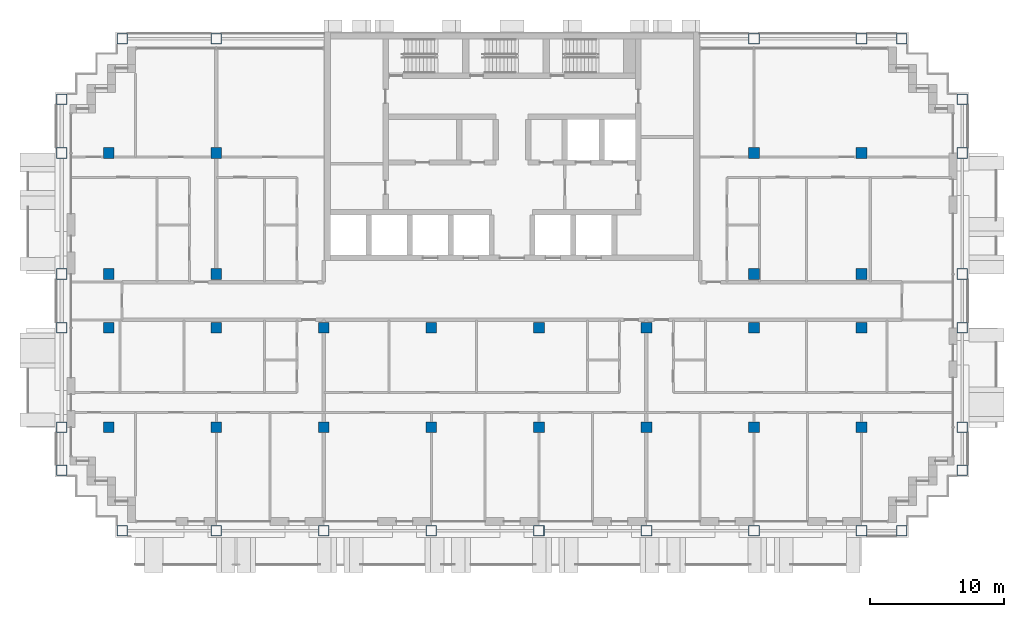
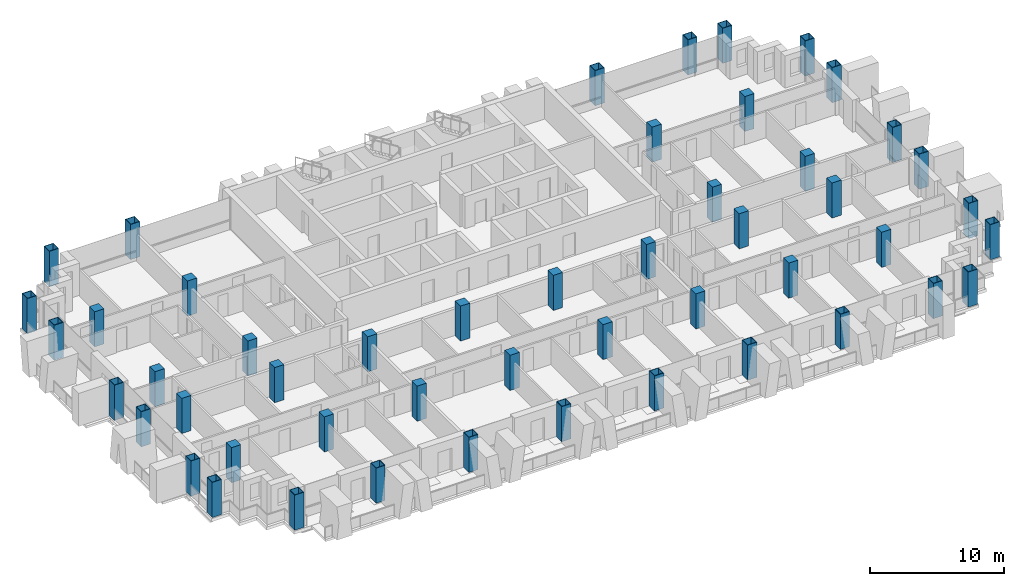
# One storey, part 1 of 18: 50 columns.
"""IFC4 building model written with IfcOpenShell, lengths in metres."""

from ifc_helpers import new_model, si_unit, direction, frame, origin, origin_2d, place, context, subcontext, project, spatial, rectangle, hollow_rectangle, extrude, material, material_profile, profile_set, type_object, element, save


model = new_model("IFC4")

# Units and contexts
model_context = context("Model", 3, precision=1e-05, world=origin(), true_north=direction((0.0, 1.0)))
body_context = subcontext(model_context, "Body", "Model", "MODEL_VIEW")
ifc_project = project(units=[si_unit("LENGTHUNIT", "METRE"), si_unit("AREAUNIT", "SQUARE_METRE"), si_unit("VOLUMEUNIT", "CUBIC_METRE"), si_unit("PLANEANGLEUNIT", "RADIAN"), si_unit("MASSUNIT", "GRAM", prefix="KILO")], contexts=[model_context])

# Site, building, storey
site_placement = place(None, origin())
site = spatial("IfcSite", under=ifc_project, at=site_placement, CompositionType="ELEMENT")
building_placement = place(site_placement, origin())
building = spatial("IfcBuilding", under=site, at=building_placement, Name="Vidyagriha Tower", CompositionType="ELEMENT")
storey_placement = place(building_placement, frame((0.0, 0.0, 142.199951171875)))
storey = spatial("IfcBuildingStorey", under=building, at=storey_placement, Name="L37", CompositionType="ELEMENT", Elevation=142.199951171875)

# Columns
ifc_material_1 = material(Name="Steel ASTM A572 Grade 50", Category="steel")
ifc_material_profile_1 = material_profile(ifc_material_1, hollow_rectangle(XDim=0.800048828125, YDim=0.800048828125, WallThickness=0.0400390625, at=origin_2d()), Name="BOX 800x800x40")
ifc_profile_set_1 = profile_set([ifc_material_profile_1], Name="Steel ASTM A572 Grade 50")
column_type_1 = type_object("IfcColumnType", Name="Exoskeleton column BOX 800x800x40", PredefinedType="COLUMN", material=ifc_profile_set_1)
for number, where, name in (
    (1, (-29.0, -17.10009765625, 0.0), "st-col-L37-B3-001"),
    (2, (-22.0, -17.10009765625, 0.0), "st-col-L37-B3-002"),
    (3, (-14.0, -17.10009765625, 0.0), "st-col-L37-B3-003"),
    (4, (-6.0, -17.10009765625, 0.0), "st-col-L37-B3-004"),
    (5, (2.0, -17.10009765625, 0.0), "st-col-L37-B3-005"),
    (6, (10.0, -17.10009765625, 0.0), "st-col-L37-B3-006"),
    (7, (18.0, -17.10009765625, 0.0), "st-col-L37-B3-007"),
    (8, (26.0, -17.10009765625, 0.0), "st-col-L37-B3-008"),
    (9, (29.0, -17.10009765625, 0.0), "st-col-L37-B3-009"),
    (10, (-33.5, -12.60009765625, 0.0), "st-col-L37-B3-010"),
    (11, (33.5, -12.60009765625, 0.0), "st-col-L37-B3-011"),
    (12, (-33.5, -9.39990234375, 0.0), "st-col-L37-B3-012"),
    (13, (33.5, -9.39990234375, 0.0), "st-col-L37-B3-021"),
    (14, (-33.5, -2.0, 0.0), "st-col-L37-B3-022"),
    (15, (33.5, -2.0, 0.0), "st-col-L37-B3-031"),
    (16, (-33.5, 2.0, 0.0), "st-col-L37-B3-032"),
    (17, (33.5, 2.0, 0.0), "st-col-L37-B3-037"),
    (18, (-33.5, 11.0, 0.0), "st-col-L37-B3-038"),
    (19, (33.5, 11.0, 0.0), "st-col-L37-B3-043"),
    (20, (-33.5, 15.0, 0.0), "st-col-L37-B3-044"),
    (21, (33.5, 15.0, 0.0), "st-col-L37-B3-045"),
    (22, (-29.0, 19.5, 0.0), "st-col-L37-B3-046"),
    (23, (-22.0, 19.5, 0.0), "st-col-L37-B3-047"),
    (24, (18.0, 19.5, 0.0), "st-col-L37-B3-048"),
    (25, (26.0, 19.5, 0.0), "st-col-L37-B3-049"),
    (26, (29.0, 19.5, 0.0), "st-col-L37-B3-050"),
):
    element("IfcColumn", number, at=place(storey_placement, frame(where)), inside=storey, type_object=column_type_1, Name=name, PredefinedType="COLUMN", context=body_context, shape_type="SweptSolid", body=[
        extrude(hollow_rectangle(XDim=0.800048828125, YDim=0.800048828125, WallThickness=0.0400390625, at=origin_2d()), origin(), (0.0, 0.0, 1.0), 3.199951171875),
    ])
ifc_material_2 = material(Name="Concrete C80/95", Category="concrete")
ifc_material_profile_2 = material_profile(ifc_material_2, rectangle(XDim=0.800048828125, YDim=0.800048828125, at=origin_2d()), Name="RC 800x800")
ifc_profile_set_2 = profile_set([ifc_material_profile_2], Name="Concrete C80/95")
column_type_2 = type_object("IfcColumnType", Name="Frame column RC 800x800", PredefinedType="COLUMN", material=ifc_profile_set_2)
for number, where, name in (
    (27, (-30.0, -9.39990234375, 0.0), "st-col-L37-B3-013"),
    (28, (-22.0, -9.39990234375, 0.0), "st-col-L37-B3-014"),
    (29, (-14.0, -9.39990234375, 0.0), "st-col-L37-B3-015"),
    (30, (-6.0, -9.39990234375, 0.0), "st-col-L37-B3-016"),
    (31, (2.0, -9.39990234375, 0.0), "st-col-L37-B3-017"),
    (32, (10.0, -9.39990234375, 0.0), "st-col-L37-B3-018"),
    (33, (18.0, -9.39990234375, 0.0), "st-col-L37-B3-019"),
    (34, (26.0, -9.39990234375, 0.0), "st-col-L37-B3-020"),
    (35, (-30.0, -2.0, 0.0), "st-col-L37-B3-023"),
    (36, (-22.0, -2.0, 0.0), "st-col-L37-B3-024"),
    (37, (-14.0, -2.0, 0.0), "st-col-L37-B3-025"),
    (38, (-6.0, -2.0, 0.0), "st-col-L37-B3-026"),
    (39, (2.0, -2.0, 0.0), "st-col-L37-B3-027"),
    (40, (10.0, -2.0, 0.0), "st-col-L37-B3-028"),
    (41, (18.0, -2.0, 0.0), "st-col-L37-B3-029"),
    (42, (26.0, -2.0, 0.0), "st-col-L37-B3-030"),
    (43, (-30.0, 2.0, 0.0), "st-col-L37-B3-033"),
    (44, (-22.0, 2.0, 0.0), "st-col-L37-B3-034"),
    (45, (18.0, 2.0, 0.0), "st-col-L37-B3-035"),
    (46, (26.0, 2.0, 0.0), "st-col-L37-B3-036"),
    (47, (-30.0, 11.0, 0.0), "st-col-L37-B3-039"),
    (48, (-22.0, 11.0, 0.0), "st-col-L37-B3-040"),
    (49, (18.0, 11.0, 0.0), "st-col-L37-B3-041"),
    (50, (26.0, 11.0, 0.0), "st-col-L37-B3-042"),
):
    element("IfcColumn", number, at=place(storey_placement, frame(where)), inside=storey, type_object=column_type_2, Name=name, PredefinedType="COLUMN", context=body_context, shape_type="SweptSolid", body=[
        extrude(rectangle(XDim=0.800048828125, YDim=0.800048828125, at=origin_2d()), origin(), (0.0, 0.0, 1.0), 3.199951171875),
    ])

save(model, "model.ifc")
